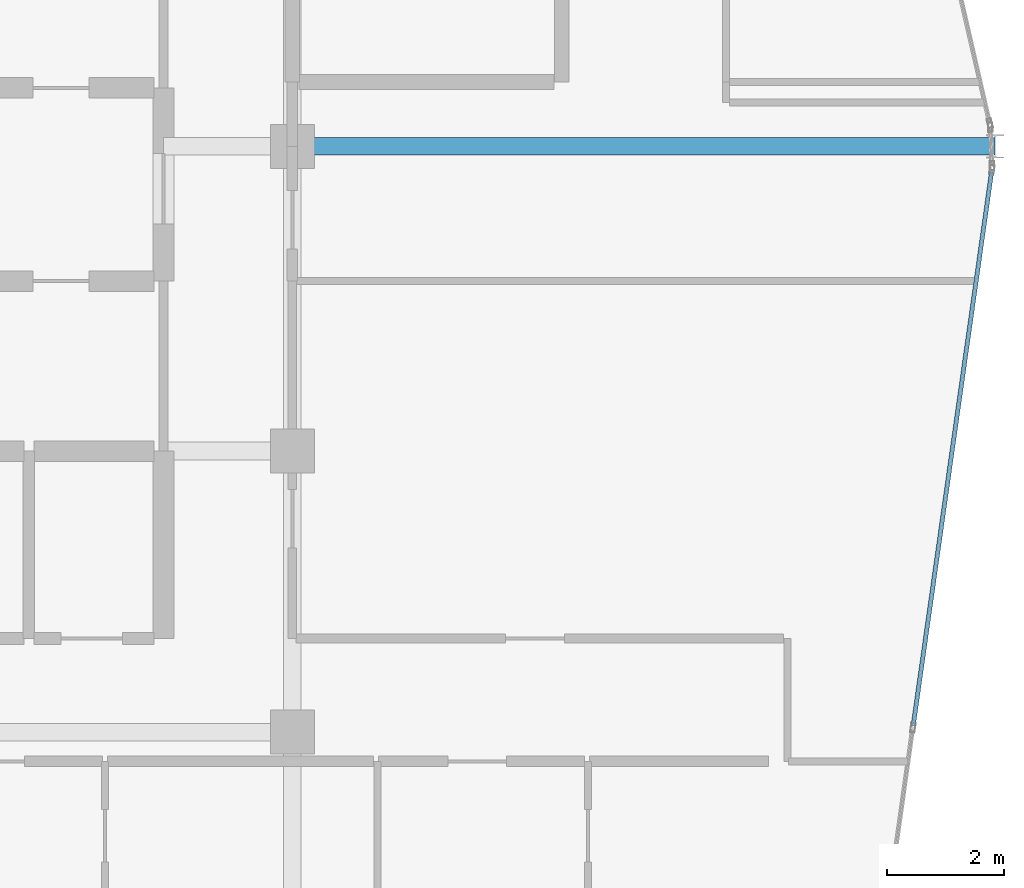
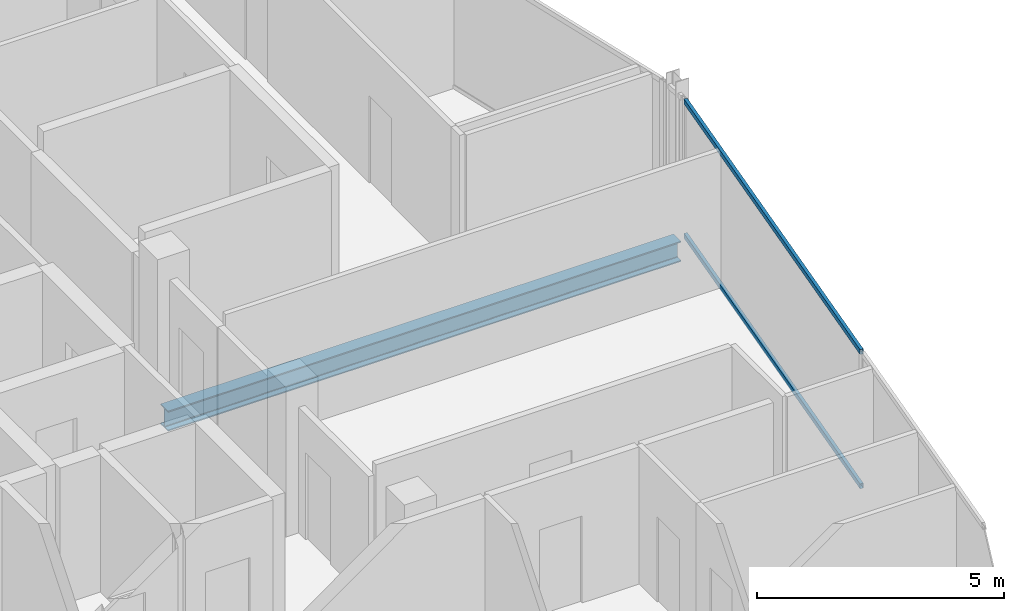
# One storey, part 13 of 27: 2 members, 1 beam, 1 element without a shape of its own.
"""IFC4 building model written with IfcOpenShell, lengths in metres."""

from ifc_helpers import new_model, si_unit, direction, frame, origin, origin_2d, place, context, subcontext, project, spatial, hollow_rectangle, i_section, extrude, material, layer, layer_set, material_profile, profile_set, type_object, element, aggregate, save


model = new_model("IFC4")

# Units and contexts
model_context = context("Model", 3, precision=1e-05, world=origin(), true_north=direction((0.0, 1.0)))
body_context = subcontext(model_context, "Body", "Model", "MODEL_VIEW")
ifc_project = project(units=[si_unit("LENGTHUNIT", "METRE"), si_unit("AREAUNIT", "SQUARE_METRE"), si_unit("VOLUMEUNIT", "CUBIC_METRE"), si_unit("PLANEANGLEUNIT", "RADIAN"), si_unit("MASSUNIT", "GRAM", prefix="KILO")], contexts=[model_context])

# Site, building, storey
site_placement = place(None, origin())
site = spatial("IfcSite", under=ifc_project, at=site_placement, CompositionType="ELEMENT")
building_placement = place(site_placement, origin())
building = spatial("IfcBuilding", under=site, at=building_placement, Name="Keshet Zoharim Tower", CompositionType="ELEMENT")
storey_placement = place(building_placement, frame((0.0, 0.0, 262.10009765625)))
storey = spatial("IfcBuildingStorey", under=building, at=storey_placement, Name="L65", CompositionType="ELEMENT", Elevation=262.10009765625)

# Beam
ifc_material_1 = material(Name="Steel S355", Category="steel")
ifc_material_profile_1 = material_profile(ifc_material_1, i_section(OverallWidth=0.300048828125, OverallDepth=0.5, WebThickness=0.014404296875, FlangeThickness=0.028076171875, FilletRadius=0.027099609375, at=origin_2d()), Name="HEB500")
ifc_profile_set_1 = profile_set([ifc_material_profile_1], Name="Steel S355")
beam_type = type_object("IfcBeamType", Name="BM-MED-HB500", PredefinedType="BEAM", material=ifc_profile_set_1)
beam_placement = place(storey_placement, frame((33.0, 27.89990234375, -0.56005859375), z_axis=(1.0, 0.0, 0.0), x_axis=(0.0, 1.0, 0.0)))
element("IfcBeam", 1, at=beam_placement, inside=storey, type_object=beam_type, Name="L65 Primary Girder X-007", PredefinedType="BEAM", context=body_context, shape_type="SweptSolid", body=[
    extrude(i_section(OverallWidth=0.300048828125, OverallDepth=0.5, WebThickness=0.014404296875, FlangeThickness=0.028076171875, FilletRadius=0.027099609375, at=origin_2d()), origin(), (0.0, 0.0, 1.0), 12.0),
])

# Curtain wall, members
ifc_material_2 = material(Name="Aluminium 6063-T6", Category="aluminium")
ifc_layer = layer(ifc_material_2, 0.260009765625)
ifc_layer_set = layer_set([ifc_layer], Name="Aluminium 6063-T6")
curtain_wall_type = type_object("IfcCurtainWallType", Name="CW-SYS-06", PredefinedType="NOTDEFINED", material=ifc_layer_set)
curtain_wall_placement = place(storey_placement, origin())
curtain_wall = element("IfcCurtainWall", 2, at=curtain_wall_placement, inside=storey, type_object=curtain_wall_type, Name="L65 Unitised Curtain Wall 11", PredefinedType="NOTDEFINED")
ifc_material_profile_2 = material_profile(ifc_material_2, hollow_rectangle(XDim=0.074951171875, YDim=0.1201171875, WallThickness=0.00390625, at=origin_2d()), Name="TRN-75x120")
ifc_profile_set_2 = profile_set([ifc_material_profile_2], Name="Aluminium 6063-T6")
member_type = type_object("IfcMemberType", Name="CWT-T12", PredefinedType="USERDEFINED", material=ifc_profile_set_2)
member_1_placement = place(storey_placement, frame((44.938232421875, 27.462646484375, 0.034912109375), z_axis=(-0.140150169695, -0.990130259074, 0.0), x_axis=(0.990130259074, -0.140150169695, 0.0)))
member_1 = element("IfcMember", 3, at=member_1_placement, type_object=member_type, Name="CW-06 transom 1.1", ObjectType="TRANSOM", PredefinedType="USERDEFINED", context=body_context, shape_type="SweptSolid", body=[
    extrude(hollow_rectangle(XDim=0.074951171875, YDim=0.1201171875, WallThickness=0.00390625, at=origin_2d()), origin(), (0.0, 0.0, 1.0), 9.546142578125),
])
member_2_placement = place(storey_placement, frame((44.938232421875, 27.462646484375, 3.35498046875), z_axis=(-0.140150169695, -0.990130259074, 0.0), x_axis=(0.990130259074, -0.140150169695, 0.0)))
member_2 = element("IfcMember", 4, at=member_2_placement, type_object=member_type, Name="CW-06 transom 1.2", ObjectType="TRANSOM", PredefinedType="USERDEFINED", context=body_context, shape_type="SweptSolid", body=[
    extrude(hollow_rectangle(XDim=0.074951171875, YDim=0.1201171875, WallThickness=0.00390625, at=origin_2d()), origin(), (0.0, 0.0, 1.0), 9.546142578125),
])
aggregate(curtain_wall, [member_1, member_2])

save(model, "model.ifc")
